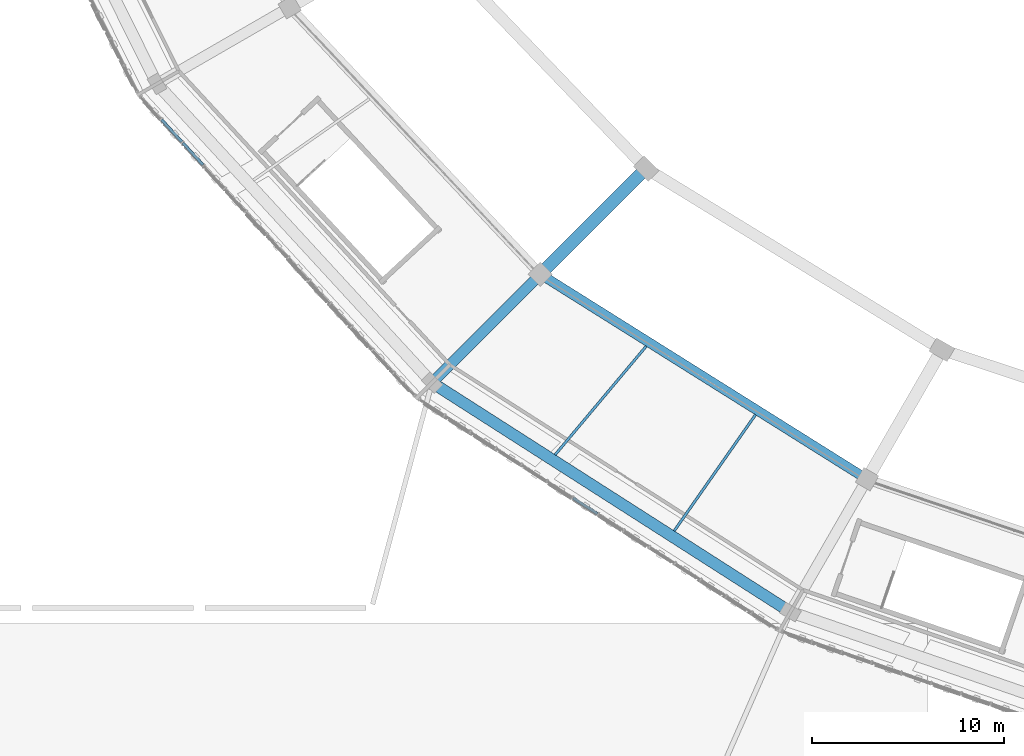
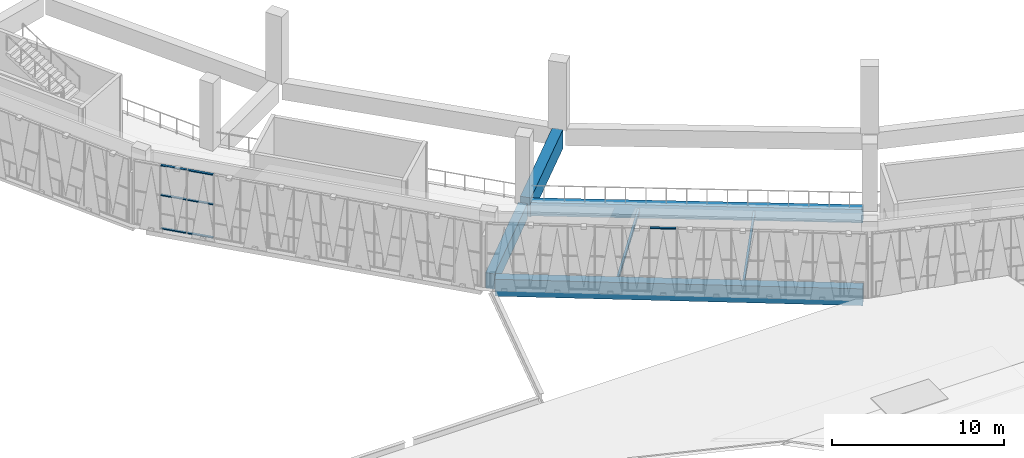
# One storey, part 5 of 108: 7 members, 6 beams, 2 elements without a shape of their own.
"""IFC4 building model written with IfcOpenShell, lengths in metres."""

from ifc_helpers import new_model, si_unit, direction, frame, origin, origin_2d, place, context, subcontext, project, spatial, rectangle, i_section, extrude, material, material_profile, profile_set, type_object, element, aggregate, save


model = new_model("IFC4")

# Units and contexts
model_context = context("Model", 3, precision=1e-05, world=origin(), true_north=direction((0.0, 1.0)))
body_context = subcontext(model_context, "Body", "Model", "MODEL_VIEW")
ifc_project = project(units=[si_unit("LENGTHUNIT", "METRE"), si_unit("AREAUNIT", "SQUARE_METRE"), si_unit("VOLUMEUNIT", "CUBIC_METRE"), si_unit("PLANEANGLEUNIT", "RADIAN"), si_unit("MASSUNIT", "GRAM", prefix="KILO")], contexts=[model_context])

# Site, building, storey
site_placement = place(None, origin())
site = spatial("IfcSite", under=ifc_project, at=site_placement, CompositionType="ELEMENT")
building_placement = place(site_placement, origin())
building = spatial("IfcBuilding", under=site, at=building_placement, Name="Zevraka Park Crest Stadium", CompositionType="ELEMENT")
storey_placement = place(building_placement, frame((0.0, 0.0, 19.800048828125)))
storey = spatial("IfcBuildingStorey", under=building, at=storey_placement, Name="L04", CompositionType="ELEMENT", Elevation=19.800048828125)

# Beams
ifc_material_1 = material(Name="Concrete C40/50", Category="concrete")
ifc_material_profile_1 = material_profile(ifc_material_1, rectangle(XDim=0.64990234375, YDim=1.35009765625, at=origin_2d()), Name="RC 1350x650")
ifc_profile_set_1 = profile_set([ifc_material_profile_1], Name="Concrete C40/50")
beam_type_1 = type_object("IfcBeamType", Name="BG01", PredefinedType="BEAM", material=ifc_profile_set_1)
beam_1_placement = place(storey_placement, frame((59.10888671875, 49.715087890625, -0.68505859375), z_axis=(-0.707157639372, -0.707055919343, 0.0), x_axis=(0.707055919343, -0.707157639372, 0.0)))
element("IfcBeam", 1, at=beam_1_placement, inside=storey, type_object=beam_type_1, Name="Radial Girder BG01 L04-BC-15", PredefinedType="BEAM", context=body_context, shape_type="SweptSolid", body=[
    extrude(rectangle(XDim=0.64990234375, YDim=1.35009765625, at=origin_2d()), origin(), (0.0, 0.0, 1.0), 7.200439453125),
])
ifc_material_2 = material(Name="Concrete C40/50", Category="concrete")
ifc_material_profile_2 = material_profile(ifc_material_2, rectangle(XDim=0.550048828125, YDim=1.10009765625, at=origin_2d()), Name="RC 1100x550")
ifc_profile_set_2 = profile_set([ifc_material_profile_2], Name="Concrete C40/50")
beam_type_2 = type_object("IfcBeamType", Name="BG02", PredefinedType="BEAM", material=ifc_profile_set_2)
beam_2_placement = place(storey_placement, frame((53.593017578125, 44.199951171875, -0.56005859375), z_axis=(-0.707106781187, -0.707106781187, 0.0), x_axis=(0.707106781187, -0.707106781187, 0.0)))
element("IfcBeam", 2, at=beam_2_placement, inside=storey, type_object=beam_type_2, Name="Radial Girder BG02 L04-CD-15", PredefinedType="BEAM", context=body_context, shape_type="SweptSolid", body=[
    extrude(rectangle(XDim=0.550048828125, YDim=1.10009765625, at=origin_2d()), origin(), (0.0, 0.0, 1.0), 7.400390625),
])

# Curtain wall, members
ifc_material_3 = material(Name="Anodised architectural aluminium and laminated safety glass", Category="aluminium")
curtain_wall_type = type_object("IfcCurtainWallType", Name="CW18", PredefinedType="NOTDEFINED", material=ifc_material_3)
curtain_wall_1_placement = place(storey_placement, origin())
curtain_wall_1 = element("IfcCurtainWall", 3, at=curtain_wall_1_placement, inside=storey, type_object=curtain_wall_type, Name="Unitised Ring Curtain Wall CW18 L04-14", PredefinedType="NOTDEFINED")
ifc_material_4 = material(Name="Anodised architectural aluminium", Category="aluminium")
ifc_material_profile_3 = material_profile(ifc_material_4, rectangle(XDim=0.14990234375, YDim=0.070068359375, at=origin_2d()), Name="ALU TRANSOM 150x70")
ifc_profile_set_3 = profile_set([ifc_material_profile_3], Name="Anodised architectural aluminium")
member_type = type_object("IfcMemberType", Name="CT03", PredefinedType="USERDEFINED", material=ifc_profile_set_3)
member_1_placement = place(storey_placement, frame((34.04052734375, 52.47216796875, 0.034912109375), z_axis=(0.676226812884, -0.736693489544, 0.0), x_axis=(0.736693489544, 0.676226812884, 0.0)))
member_1 = element("IfcMember", 4, at=member_1_placement, type_object=member_type, Name="CW18 transom 2.1", ObjectType="TRANSOM", PredefinedType="USERDEFINED", context=body_context, shape_type="SweptSolid", body=[
    extrude(rectangle(XDim=0.14990234375, YDim=0.070068359375, at=origin_2d()), origin(), (0.0, 0.0, 1.0), 1.5625),
])
member_2_placement = place(storey_placement, frame((34.04052734375, 52.47216796875, 2.39990234375), z_axis=(0.676226812884, -0.736693489544, 0.0), x_axis=(0.736693489544, 0.676226812884, 0.0)))
member_2 = element("IfcMember", 5, at=member_2_placement, type_object=member_type, Name="CW18 transom 2.2", ObjectType="TRANSOM", PredefinedType="USERDEFINED", context=body_context, shape_type="SweptSolid", body=[
    extrude(rectangle(XDim=0.14990234375, YDim=0.070068359375, at=origin_2d()), origin(), (0.0, 0.0, 1.0), 1.5625),
])
member_3_placement = place(storey_placement, frame((34.04052734375, 52.47216796875, 4.5048828125), z_axis=(0.676226812884, -0.736693489544, 0.0), x_axis=(0.736693489544, 0.676226812884, 0.0)))
member_3 = element("IfcMember", 6, at=member_3_placement, type_object=member_type, Name="CW18 transom 2.3", ObjectType="TRANSOM", PredefinedType="USERDEFINED", context=body_context, shape_type="SweptSolid", body=[
    extrude(rectangle(XDim=0.14990234375, YDim=0.070068359375, at=origin_2d()), origin(), (0.0, 0.0, 1.0), 1.5625),
])
member_4_placement = place(storey_placement, frame((35.14453125, 51.269287109375, 0.034912109375), z_axis=(0.67614898138, -0.736764925182, 0.0), x_axis=(0.736764925182, 0.67614898138, 0.0)))
member_4 = element("IfcMember", 7, at=member_4_placement, type_object=member_type, Name="CW18 transom 3.1", ObjectType="TRANSOM", PredefinedType="USERDEFINED", context=body_context, shape_type="SweptSolid", body=[
    extrude(rectangle(XDim=0.14990234375, YDim=0.070068359375, at=origin_2d()), origin(), (0.0, 0.0, 1.0), 1.562744140625),
])
member_5_placement = place(storey_placement, frame((35.14453125, 51.269287109375, 2.39990234375), z_axis=(0.67614898138, -0.736764925182, 0.0), x_axis=(0.736764925182, 0.67614898138, 0.0)))
member_5 = element("IfcMember", 8, at=member_5_placement, type_object=member_type, Name="CW18 transom 3.2", ObjectType="TRANSOM", PredefinedType="USERDEFINED", context=body_context, shape_type="SweptSolid", body=[
    extrude(rectangle(XDim=0.14990234375, YDim=0.070068359375, at=origin_2d()), origin(), (0.0, 0.0, 1.0), 1.562744140625),
])
member_6_placement = place(storey_placement, frame((35.14453125, 51.269287109375, 4.5048828125), z_axis=(0.67614898138, -0.736764925182, 0.0), x_axis=(0.736764925182, 0.67614898138, 0.0)))
member_6 = element("IfcMember", 9, at=member_6_placement, type_object=member_type, Name="CW18 transom 3.3", ObjectType="TRANSOM", PredefinedType="USERDEFINED", context=body_context, shape_type="SweptSolid", body=[
    extrude(rectangle(XDim=0.14990234375, YDim=0.070068359375, at=origin_2d()), origin(), (0.0, 0.0, 1.0), 1.562744140625),
])
aggregate(curtain_wall_1, [member_1, member_2, member_3, member_4, member_5, member_6])

# Curtain wall, member
curtain_wall_2_placement = place(storey_placement, origin())
curtain_wall_2 = element("IfcCurtainWall", 10, at=curtain_wall_2_placement, inside=storey, type_object=curtain_wall_type, Name="Unitised Ring Curtain Wall CW18 L04-15", PredefinedType="NOTDEFINED")
member_7_placement = place(storey_placement, frame((55.5107421875, 32.733642578125, 4.5048828125), z_axis=(0.841669260565, -0.539993384978, 0.0), x_axis=(0.539993384978, 0.841669260565, 0.0)))
member_7 = element("IfcMember", 11, at=member_7_placement, type_object=member_type, Name="CW18 transom 7.3", ObjectType="TRANSOM", PredefinedType="USERDEFINED", context=body_context, shape_type="SweptSolid", body=[
    extrude(rectangle(XDim=0.14990234375, YDim=0.070068359375, at=origin_2d()), origin(), (0.0, 0.0, 1.0), 1.518310546875),
])
aggregate(curtain_wall_2, [member_7])

# Beams
ifc_material_5 = material(Name="Concrete C40/50", Category="concrete")
ifc_material_profile_4 = material_profile(ifc_material_5, rectangle(XDim=0.60009765625, YDim=1.199951171875, at=origin_2d()), Name="RC 1200x600")
ifc_profile_set_4 = profile_set([ifc_material_profile_4], Name="Concrete C40/50")
beam_type_3 = type_object("IfcBeamType", Name="RB01", PredefinedType="BEAM", material=ifc_profile_set_4)
beam_3_placement = place(storey_placement, frame((48.468017578125, 38.550048828125, -0.610107421875), z_axis=(0.842325571453, -0.538969045193, 0.0), x_axis=(0.538969045193, 0.842325571453, 0.0)))
element("IfcBeam", 12, at=beam_3_placement, inside=storey, type_object=beam_type_3, Name="Ring Beam RB01 L04-D-15", PredefinedType="BEAM", context=body_context, shape_type="SweptSolid", body=[
    extrude(rectangle(XDim=0.60009765625, YDim=1.199951171875, at=origin_2d()), origin(), (0.0, 0.0, 1.0), 21.443115234375),
])
ifc_material_6 = material(Name="Concrete C40/50", Category="concrete")
ifc_material_profile_5 = material_profile(ifc_material_6, rectangle(XDim=0.5, YDim=0.949951171875, at=origin_2d()), Name="RC 950x500")
ifc_profile_set_5 = profile_set([ifc_material_profile_5], Name="Concrete C40/50")
beam_type_4 = type_object("IfcBeamType", Name="RB02", PredefinedType="BEAM", material=ifc_profile_set_5)
beam_4_placement = place(storey_placement, frame((54.126953125, 44.2099609375, -0.485107421875), z_axis=(0.847038516183, -0.531531515625, 0.0), x_axis=(0.531531515625, 0.847038516183, 0.0)))
element("IfcBeam", 13, at=beam_4_placement, inside=storey, type_object=beam_type_4, Name="Ring Beam RB02 L04-C-15", PredefinedType="BEAM", context=body_context, shape_type="SweptSolid", body=[
    extrude(rectangle(XDim=0.5, YDim=0.949951171875, at=origin_2d()), origin(), (0.0, 0.0, 1.0), 19.36279296875),
])
ifc_material_7 = material(Name="Steel S355", Category="steel")
ifc_material_profile_6 = material_profile(ifc_material_7, i_section(OverallWidth=0.135009765625, OverallDepth=0.27001953125, WebThickness=0.006591796875, FlangeThickness=0.01025390625, at=origin_2d()), Name="IPE 270")
ifc_profile_set_6 = profile_set([ifc_material_profile_6], Name="Steel S355")
beam_type_5 = type_object("IfcBeamType", Name="SJ07", PredefinedType="JOIST", material=ifc_profile_set_6)
beam_5_placement = place(storey_placement, frame((59.3291015625, 40.658935546875, -0.403076171875), z_axis=(-0.642939005042, -0.765917381834, 0.0), x_axis=(0.765917381834, -0.642939005042, 0.0)))
element("IfcBeam", 14, at=beam_5_placement, inside=storey, type_object=beam_type_5, Name="Floor Joist SJ07 L04-CD-15-1", PredefinedType="JOIST", context=body_context, shape_type="SweptSolid", body=[
    extrude(i_section(OverallWidth=0.135009765625, OverallDepth=0.27001953125, WebThickness=0.006591796875, FlangeThickness=0.01025390625, at=origin_2d()), origin(), (0.0, 0.0, 1.0), 7.39892578125),
])
beam_6_placement = place(storey_placement, frame((65.028076171875, 37.0810546875, -0.403076171875), z_axis=(-0.573440200357, -0.819247420878, 0.0), x_axis=(0.819247420878, -0.573440200357, 0.0)))
element("IfcBeam", 15, at=beam_6_placement, inside=storey, type_object=beam_type_5, Name="Floor Joist SJ07 L04-CD-15-2", PredefinedType="JOIST", context=body_context, shape_type="SweptSolid", body=[
    extrude(i_section(OverallWidth=0.135009765625, OverallDepth=0.27001953125, WebThickness=0.006591796875, FlangeThickness=0.01025390625, at=origin_2d()), origin(), (0.0, 0.0, 1.0), 7.3994140625),
])

save(model, "model.ifc")
